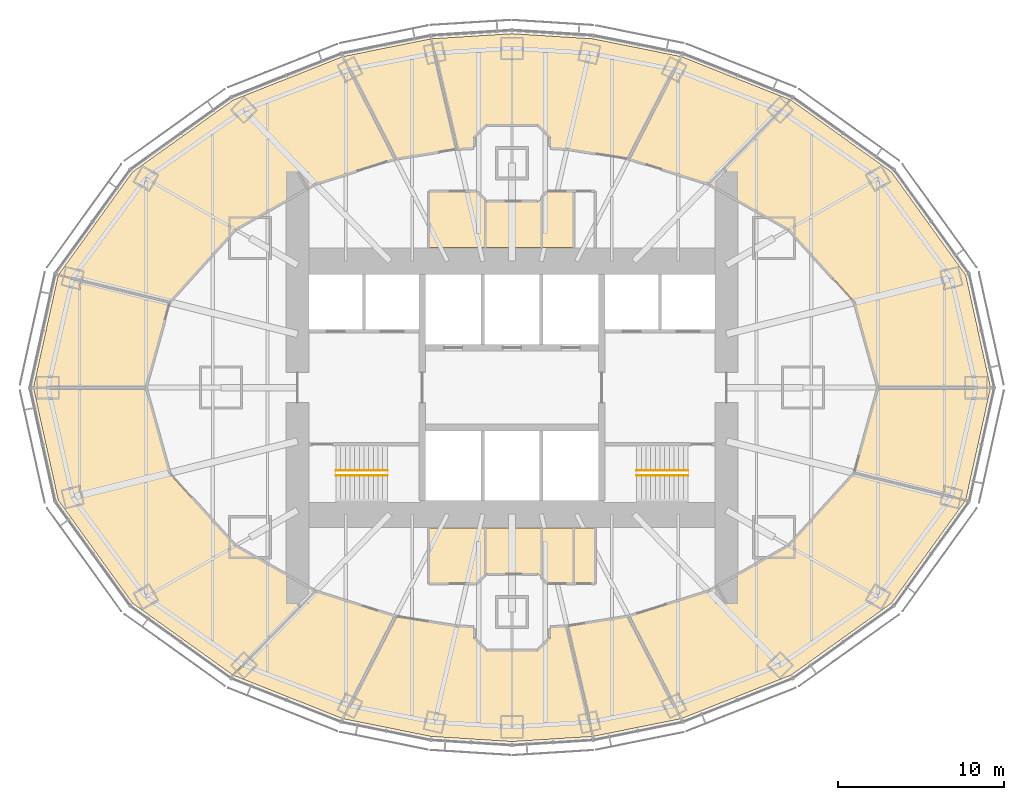
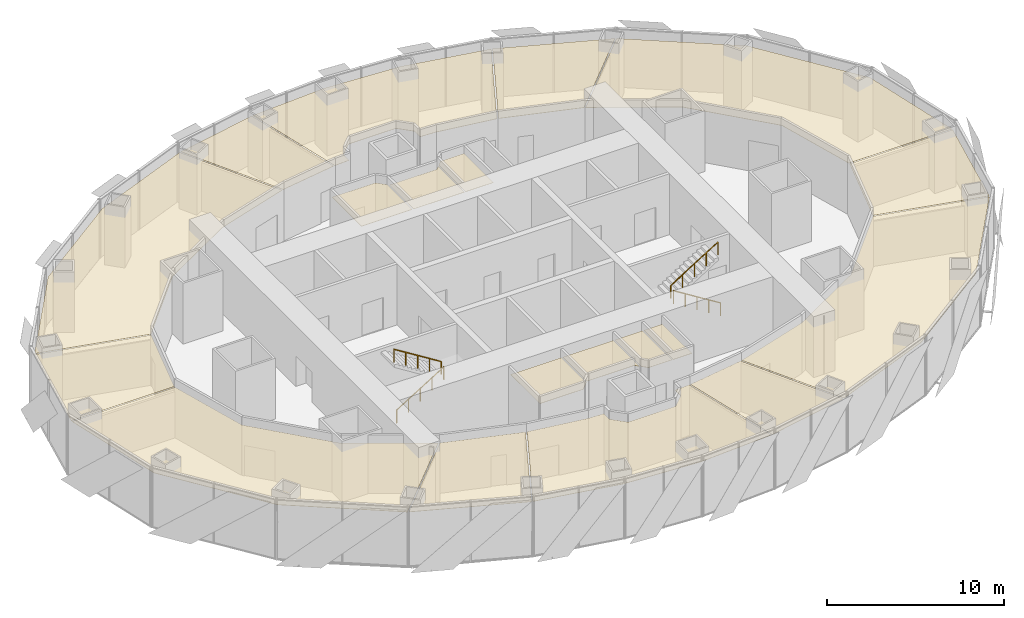
# One storey, part 18 of 18: 19 coverings, 4 railings.
"""IFC4 building model written with IfcOpenShell, lengths in metres."""

from ifc_helpers import new_model, si_unit, direction, frame, origin, origin_2d, place, context, subcontext, project, spatial, polyline, circle, outline, extrude, material, layer, layer_set, type_object, element, save


model = new_model("IFC4")

# Units and contexts
model_context = context("Model", 3, precision=1e-05, world=origin(), true_north=direction((0.0, 1.0)))
body_context = subcontext(model_context, "Body", "Model", "MODEL_VIEW")
ifc_project = project(units=[si_unit("LENGTHUNIT", "METRE"), si_unit("AREAUNIT", "SQUARE_METRE"), si_unit("VOLUMEUNIT", "CUBIC_METRE"), si_unit("PLANEANGLEUNIT", "RADIAN"), si_unit("MASSUNIT", "GRAM", prefix="KILO")], contexts=[model_context])

# Site, building, storey
site_placement = place(None, origin())
site = spatial("IfcSite", under=ifc_project, at=site_placement, CompositionType="ELEMENT")
building_placement = place(site_placement, origin())
building = spatial("IfcBuilding", under=site, at=building_placement, Name="Lantaw Convention Tower", CompositionType="ELEMENT")
storey_placement = place(building_placement, frame((0.0, 0.0, 172.0)))
storey = spatial("IfcBuildingStorey", under=building, at=storey_placement, Name="L40", CompositionType="ELEMENT", Elevation=172.0)

# Railings
ifc_material_1 = material(Name="Stainless steel", Category="steel")
railing_type = type_object("IfcRailingType", Name="Stair handrail", PredefinedType="HANDRAIL", material=ifc_material_1)
railing_1_placement = place(storey_placement, frame((-10.580078125, -5.280029296875, 0.175048828125)))
element("IfcRailing", 1, at=railing_1_placement, inside=storey, type_object=railing_type, Name="Stair handrail S1", PredefinedType="HANDRAIL", context=body_context, shape_type="SweptSolid", body=[
    extrude(circle(Radius=0.02392578125, at=origin_2d()), frame((0.0, 0.0, 0.8759765625), z_axis=(0.847998304005, 0.0, 0.529998940003), x_axis=(0.0, 1.0, 0.0)), (0.0, 0.0, 1.0), 3.632080078125),
    extrude(circle(Radius=0.02099609375, at=origin_2d()), origin(), (0.0, 0.0, 1.0), 0.851806640625),
    extrude(circle(Radius=0.02099609375, at=origin_2d()), frame((0.77001953125, 0.0, 0.481201171875)), (0.0, 0.0, 1.0), 0.851806640625),
    extrude(circle(Radius=0.02099609375, at=origin_2d()), frame((1.5400390625, 0.0, 0.96240234375)), (0.0, 0.0, 1.0), 0.851806640625),
    extrude(circle(Radius=0.02099609375, at=origin_2d()), frame((2.31005859375, 0.0, 1.44384765625)), (0.0, 0.0, 1.0), 0.851806640625),
    extrude(circle(Radius=0.02099609375, at=origin_2d()), frame((3.080078125, 0.0, 1.925048828125)), (0.0, 0.0, 1.0), 0.851806640625),
])
for number, where, name in (
    (2, (-7.5, -4.97998046875, 2.27490234375), "Stair handrail S1"),
    (3, (10.580078125, -5.280029296875, 0.175048828125), "Stair handrail S2"),
):
    element("IfcRailing", number, at=place(storey_placement, frame(where)), inside=storey, type_object=railing_type, Name=name, PredefinedType="HANDRAIL", context=body_context, shape_type="SweptSolid", body=[
        extrude(circle(Radius=0.02392578125, at=origin_2d()), frame((0.0, 0.0, 0.8759765625), z_axis=(-0.847998304005, 0.0, 0.529998940003), x_axis=(0.0, -1.0, 0.0)), (0.0, 0.0, 1.0), 3.632080078125),
        extrude(circle(Radius=0.02099609375, at=origin_2d()), origin(), (0.0, 0.0, 1.0), 0.851806640625),
        extrude(circle(Radius=0.02099609375, at=origin_2d()), frame((-0.77001953125, 0.0, 0.481201171875)), (0.0, 0.0, 1.0), 0.851806640625),
        extrude(circle(Radius=0.02099609375, at=origin_2d()), frame((-1.5400390625, 0.0, 0.96240234375)), (0.0, 0.0, 1.0), 0.851806640625),
        extrude(circle(Radius=0.02099609375, at=origin_2d()), frame((-2.31005859375, 0.0, 1.44384765625)), (0.0, 0.0, 1.0), 0.851806640625),
        extrude(circle(Radius=0.02099609375, at=origin_2d()), frame((-3.080078125, 0.0, 1.925048828125)), (0.0, 0.0, 1.0), 0.851806640625),
    ])
railing_2_placement = place(storey_placement, frame((7.5, -4.97998046875, 2.27490234375)))
element("IfcRailing", 4, at=railing_2_placement, inside=storey, type_object=railing_type, Name="Stair handrail S2", PredefinedType="HANDRAIL", context=body_context, shape_type="SweptSolid", body=[
    extrude(circle(Radius=0.02392578125, at=origin_2d()), frame((0.0, 0.0, 0.8759765625), z_axis=(0.847998304005, 0.0, 0.529998940003), x_axis=(0.0, 1.0, 0.0)), (0.0, 0.0, 1.0), 3.632080078125),
    extrude(circle(Radius=0.02099609375, at=origin_2d()), origin(), (0.0, 0.0, 1.0), 0.851806640625),
    extrude(circle(Radius=0.02099609375, at=origin_2d()), frame((0.77001953125, 0.0, 0.481201171875)), (0.0, 0.0, 1.0), 0.851806640625),
    extrude(circle(Radius=0.02099609375, at=origin_2d()), frame((1.5400390625, 0.0, 0.96240234375)), (0.0, 0.0, 1.0), 0.851806640625),
    extrude(circle(Radius=0.02099609375, at=origin_2d()), frame((2.31005859375, 0.0, 1.44384765625)), (0.0, 0.0, 1.0), 0.851806640625),
    extrude(circle(Radius=0.02099609375, at=origin_2d()), frame((3.080078125, 0.0, 1.925048828125)), (0.0, 0.0, 1.0), 0.851806640625),
])

# Coverings
ifc_material_2 = material(Name="Gypsum board on steel suspension grid", Category="steel")
ifc_layer = layer(ifc_material_2, 0.02001953125)
ifc_layer_set = layer_set([ifc_layer], Name="Suspended ceiling")
covering_type = type_object("IfcCoveringType", Name="Suspended ceiling", PredefinedType="CEILING", material=ifc_layer_set)
covering_1_placement = place(storey_placement, frame((0.0, 0.0, 3.449951171875)))
element("IfcCovering", 5, at=covering_1_placement, inside=storey, type_object=covering_type, Name="Female WC ceiling", PredefinedType="CEILING", context=body_context, shape_type="SweptSolid", body=[
    extrude(outline(polyline([(-4.9599609375, 11.760009765625), (-4.9599609375, 8.43994140625), (-1.639892578125, 8.43994140625), (-1.639892578125, 11.26611328125), (-2.1337890625, 11.760009765625), (-4.9599609375, 11.760009765625)])), origin(), (0.0, 0.0, 1.0), 0.02001953125),
])
covering_2_placement = place(storey_placement, frame((0.0, 0.0, 3.449951171875)))
element("IfcCovering", 6, at=covering_2_placement, inside=storey, type_object=covering_type, Name="Male WC ceiling", PredefinedType="CEILING", context=body_context, shape_type="SweptSolid", body=[
    extrude(outline(polyline([(-1.56005859375, 11.186279296875), (-1.56005859375, 8.43994140625), (1.760009765625, 8.43994140625), (1.760009765625, 11.38623046875), (1.548828125, 11.175048828125), (-1.548828125, 11.175048828125), (-1.56005859375, 11.186279296875)])), origin(), (0.0, 0.0, 1.0), 0.02001953125),
])
covering_3_placement = place(storey_placement, frame((0.0, 0.0, 3.449951171875)))
element("IfcCovering", 7, at=covering_3_placement, inside=storey, type_object=covering_type, Name="Accessible WC ceiling", PredefinedType="CEILING", context=body_context, shape_type="SweptSolid", body=[
    extrude(outline(polyline([(1.840087890625, 11.466064453125), (1.840087890625, 8.43994140625), (3.659912109375, 8.43994140625), (3.659912109375, 11.760009765625), (2.1337890625, 11.760009765625), (1.840087890625, 11.466064453125)])), origin(), (0.0, 0.0, 1.0), 0.02001953125),
])
covering_4_placement = place(storey_placement, frame((0.0, 0.0, 3.449951171875)))
element("IfcCovering", 8, at=covering_4_placement, inside=storey, type_object=covering_type, Name="Female WC ceiling", PredefinedType="CEILING", context=body_context, shape_type="SweptSolid", body=[
    extrude(outline(polyline([(-4.9599609375, -8.43994140625), (-4.9599609375, -11.760009765625), (-2.1337890625, -11.760009765625), (-1.639892578125, -11.26611328125), (-1.639892578125, -8.43994140625), (-4.9599609375, -8.43994140625)])), origin(), (0.0, 0.0, 1.0), 0.02001953125),
])
covering_5_placement = place(storey_placement, frame((0.0, 0.0, 3.449951171875)))
element("IfcCovering", 9, at=covering_5_placement, inside=storey, type_object=covering_type, Name="Male WC ceiling", PredefinedType="CEILING", context=body_context, shape_type="SweptSolid", body=[
    extrude(outline(polyline([(-1.56005859375, -11.186279296875), (-1.548828125, -11.175048828125), (1.548828125, -11.175048828125), (1.760009765625, -11.38623046875), (1.760009765625, -8.43994140625), (-1.56005859375, -8.43994140625), (-1.56005859375, -11.186279296875)])), origin(), (0.0, 0.0, 1.0), 0.02001953125),
])
covering_6_placement = place(storey_placement, frame((0.0, 0.0, 3.449951171875)))
element("IfcCovering", 10, at=covering_6_placement, inside=storey, type_object=covering_type, Name="Accessible WC ceiling", PredefinedType="CEILING", context=body_context, shape_type="SweptSolid", body=[
    extrude(outline(polyline([(1.840087890625, -8.43994140625), (1.840087890625, -11.466064453125), (2.1337890625, -11.760009765625), (3.659912109375, -11.760009765625), (3.659912109375, -8.43994140625), (1.840087890625, -8.43994140625)])), origin(), (0.0, 0.0, 1.0), 0.02001953125),
])
covering_7_placement = place(storey_placement, frame((0.0, 0.0, 3.449951171875)))
element("IfcCovering", 11, at=covering_7_placement, inside=storey, type_object=covering_type, Name="Pantry ceiling", PredefinedType="CEILING", context=body_context, shape_type="SweptSolid", body=[
    extrude(outline(polyline([(3.739990234375, -11.760009765625), (4.9599609375, -11.760009765625), (4.9599609375, -8.43994140625), (3.739990234375, -8.43994140625), (3.739990234375, -11.760009765625)])), origin(), (0.0, 0.0, 1.0), 0.02001953125),
])
covering_8_placement = place(storey_placement, frame((0.0, 0.0, 3.449951171875)))
element("IfcCovering", 12, at=covering_8_placement, inside=storey, type_object=covering_type, Name="Tenant suite ceiling", PredefinedType="CEILING", context=body_context, shape_type="SweptSolid", body=[
    extrude(outline(polyline([(22.030517578125, 0.0400390625), (28.77099609375, 0.0400390625), (27.286865234375, 6.763671875), (22.815185546875, 12.970947265625), (16.802001953125, 17.2744140625), (11.877685546875, 12.24169921875), (16.647705078125, 9.5302734375), (20.61279296875, 5.150146484375), (22.030517578125, 0.0400390625)])), origin(), (0.0, 0.0, 1.0), 0.02001953125),
])
covering_9_placement = place(storey_placement, frame((0.0, 0.0, 3.449951171875)))
element("IfcCovering", 13, at=covering_9_placement, inside=storey, type_object=covering_type, Name="Meeting room ceiling", PredefinedType="CEILING", context=body_context, shape_type="SweptSolid", body=[
    extrude(outline(polyline([(11.80126953125, 12.278076171875), (16.7265625, 17.311767578125), (10.217041015625, 19.893798828125), (7.06103515625, 13.76953125), (11.80126953125, 12.278076171875)])), origin(), (0.0, 0.0, 1.0), 0.02001953125),
])
covering_10_placement = place(storey_placement, frame((0.0, 0.0, 3.449951171875)))
element("IfcCovering", 14, at=covering_10_placement, inside=storey, type_object=covering_type, Name="Tenant suite ceiling", PredefinedType="CEILING", context=body_context, shape_type="SweptSolid", body=[
    extrude(outline(polyline([(3.313720703125, 14.374755859375), (6.9814453125, 13.78955078125), (10.13818359375, 19.91552734375), (4.864501953125, 20.978271484375), (0.0, 21.28466796875), (-4.81982421875, 20.98095703125), (-3.278076171875, 14.376708984375), (-2.324951171875, 14.424072265625), (-2.324951171875, 15.048828125), (-1.548828125, 15.824951171875), (1.548828125, 15.824951171875), (2.324951171875, 15.048828125), (2.324951171875, 14.424072265625), (3.313720703125, 14.374755859375)])), origin(), (0.0, 0.0, 1.0), 0.02001953125),
])
covering_11_placement = place(storey_placement, frame((0.0, 0.0, 3.449951171875)))
element("IfcCovering", 15, at=covering_11_placement, inside=storey, type_object=covering_type, Name="Meeting room ceiling", PredefinedType="CEILING", context=body_context, shape_type="SweptSolid", body=[
    extrude(outline(polyline([(-3.358154296875, 14.36767578125), (-4.899658203125, 20.970947265625), (-10.13818359375, 19.91552734375), (-6.9814453125, 13.78955078125), (-3.358154296875, 14.36767578125)])), origin(), (0.0, 0.0, 1.0), 0.02001953125),
])
covering_12_placement = place(storey_placement, frame((0.0, 0.0, 3.449951171875)))
element("IfcCovering", 16, at=covering_12_placement, inside=storey, type_object=covering_type, Name="Tenant suite ceiling", PredefinedType="CEILING", context=body_context, shape_type="SweptSolid", body=[
    extrude(outline(polyline([(-7.06103515625, 13.76953125), (-10.217041015625, 19.893798828125), (-16.778076171875, 17.29150390625), (-22.815185546875, 12.970947265625), (-27.257080078125, 6.80517578125), (-20.590576171875, 5.1748046875), (-16.647705078125, 9.5302734375), (-11.828857421875, 12.269287109375), (-7.06103515625, 13.76953125)])), origin(), (0.0, 0.0, 1.0), 0.02001953125),
])
covering_13_placement = place(storey_placement, frame((0.0, 0.0, 3.449951171875)))
element("IfcCovering", 17, at=covering_13_placement, inside=storey, type_object=covering_type, Name="Meeting room ceiling", PredefinedType="CEILING", context=body_context, shape_type="SweptSolid", body=[
    extrude(outline(polyline([(-20.62646484375, 5.101318359375), (-27.2939453125, 6.731689453125), (-28.77099609375, 0.0400390625), (-22.030517578125, 0.0400390625), (-20.62646484375, 5.101318359375)])), origin(), (0.0, 0.0, 1.0), 0.02001953125),
])
covering_14_placement = place(storey_placement, frame((0.0, 0.0, 3.449951171875)))
element("IfcCovering", 18, at=covering_14_placement, inside=storey, type_object=covering_type, Name="Tenant suite ceiling", PredefinedType="CEILING", context=body_context, shape_type="SweptSolid", body=[
    extrude(outline(polyline([(-22.030517578125, -0.0400390625), (-28.77099609375, -0.0400390625), (-27.286865234375, -6.763671875), (-22.815185546875, -12.970947265625), (-16.802001953125, -17.2744140625), (-11.877685546875, -12.24169921875), (-16.647705078125, -9.5302734375), (-20.61279296875, -5.150146484375), (-22.030517578125, -0.0400390625)])), origin(), (0.0, 0.0, 1.0), 0.02001953125),
])
covering_15_placement = place(storey_placement, frame((0.0, 0.0, 3.449951171875)))
element("IfcCovering", 19, at=covering_15_placement, inside=storey, type_object=covering_type, Name="Meeting room ceiling", PredefinedType="CEILING", context=body_context, shape_type="SweptSolid", body=[
    extrude(outline(polyline([(-11.80126953125, -12.278076171875), (-16.7265625, -17.311767578125), (-10.217041015625, -19.893798828125), (-7.06103515625, -13.76953125), (-11.80126953125, -12.278076171875)])), origin(), (0.0, 0.0, 1.0), 0.02001953125),
])
covering_16_placement = place(storey_placement, frame((0.0, 0.0, 3.449951171875)))
element("IfcCovering", 20, at=covering_16_placement, inside=storey, type_object=covering_type, Name="Tenant suite ceiling", PredefinedType="CEILING", context=body_context, shape_type="SweptSolid", body=[
    extrude(outline(polyline([(-3.313720703125, -14.374755859375), (-6.9814453125, -13.78955078125), (-10.13818359375, -19.91552734375), (-4.864501953125, -20.978271484375), (0.0, -21.28466796875), (4.81982421875, -20.98095703125), (3.278076171875, -14.376708984375), (2.324951171875, -14.424072265625), (2.324951171875, -15.048828125), (1.548828125, -15.824951171875), (-1.548828125, -15.824951171875), (-2.324951171875, -15.048828125), (-2.324951171875, -14.424072265625), (-3.313720703125, -14.374755859375)])), origin(), (0.0, 0.0, 1.0), 0.02001953125),
])
covering_17_placement = place(storey_placement, frame((0.0, 0.0, 3.449951171875)))
element("IfcCovering", 21, at=covering_17_placement, inside=storey, type_object=covering_type, Name="Meeting room ceiling", PredefinedType="CEILING", context=body_context, shape_type="SweptSolid", body=[
    extrude(outline(polyline([(3.358154296875, -14.36767578125), (4.899658203125, -20.970947265625), (10.13818359375, -19.91552734375), (6.9814453125, -13.78955078125), (3.358154296875, -14.36767578125)])), origin(), (0.0, 0.0, 1.0), 0.02001953125),
])
covering_18_placement = place(storey_placement, frame((0.0, 0.0, 3.449951171875)))
element("IfcCovering", 22, at=covering_18_placement, inside=storey, type_object=covering_type, Name="Tenant suite ceiling", PredefinedType="CEILING", context=body_context, shape_type="SweptSolid", body=[
    extrude(outline(polyline([(7.06103515625, -13.76953125), (10.217041015625, -19.893798828125), (16.778076171875, -17.29150390625), (22.815185546875, -12.970947265625), (27.257080078125, -6.80517578125), (20.590576171875, -5.1748046875), (16.647705078125, -9.5302734375), (11.828857421875, -12.269287109375), (7.06103515625, -13.76953125)])), origin(), (0.0, 0.0, 1.0), 0.02001953125),
])
covering_19_placement = place(storey_placement, frame((0.0, 0.0, 3.449951171875)))
element("IfcCovering", 23, at=covering_19_placement, inside=storey, type_object=covering_type, Name="Meeting room ceiling", PredefinedType="CEILING", context=body_context, shape_type="SweptSolid", body=[
    extrude(outline(polyline([(20.62646484375, -5.101318359375), (27.2939453125, -6.731689453125), (28.77099609375, -0.0400390625), (22.030517578125, -0.0400390625), (20.62646484375, -5.101318359375)])), origin(), (0.0, 0.0, 1.0), 0.02001953125),
])

save(model, "model.ifc")
